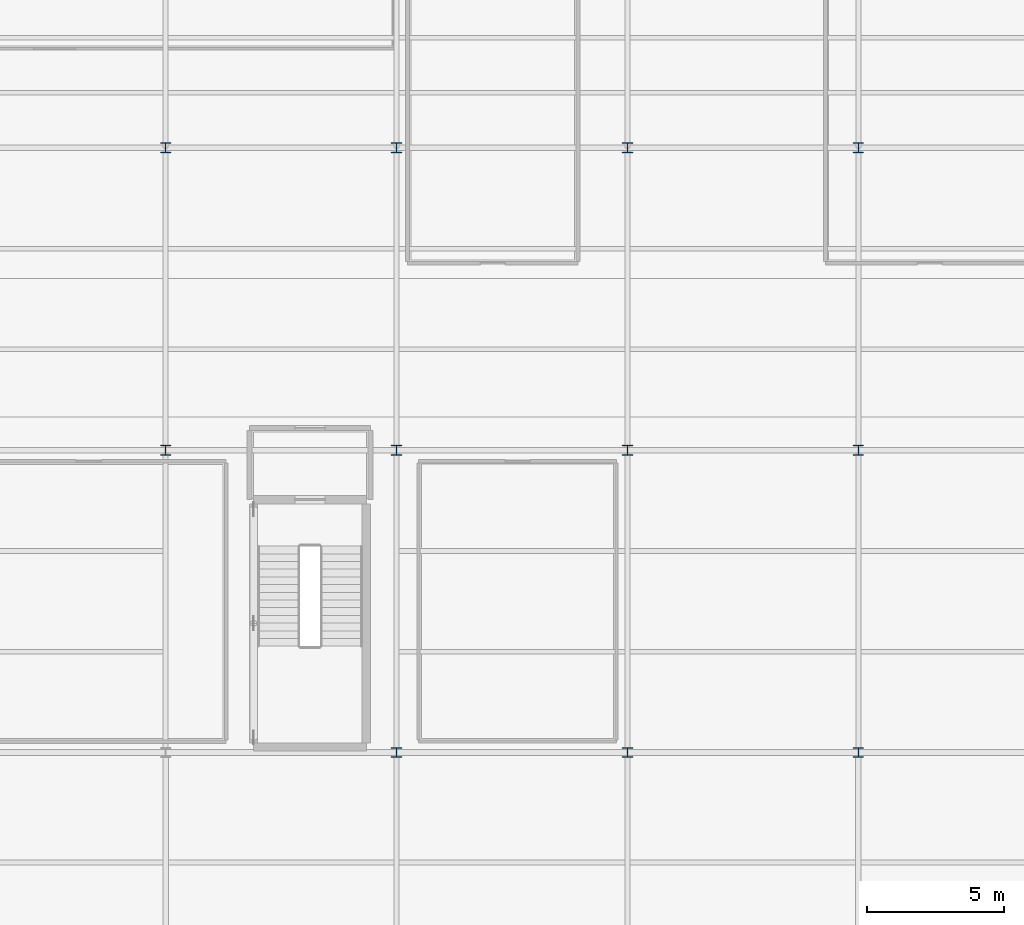
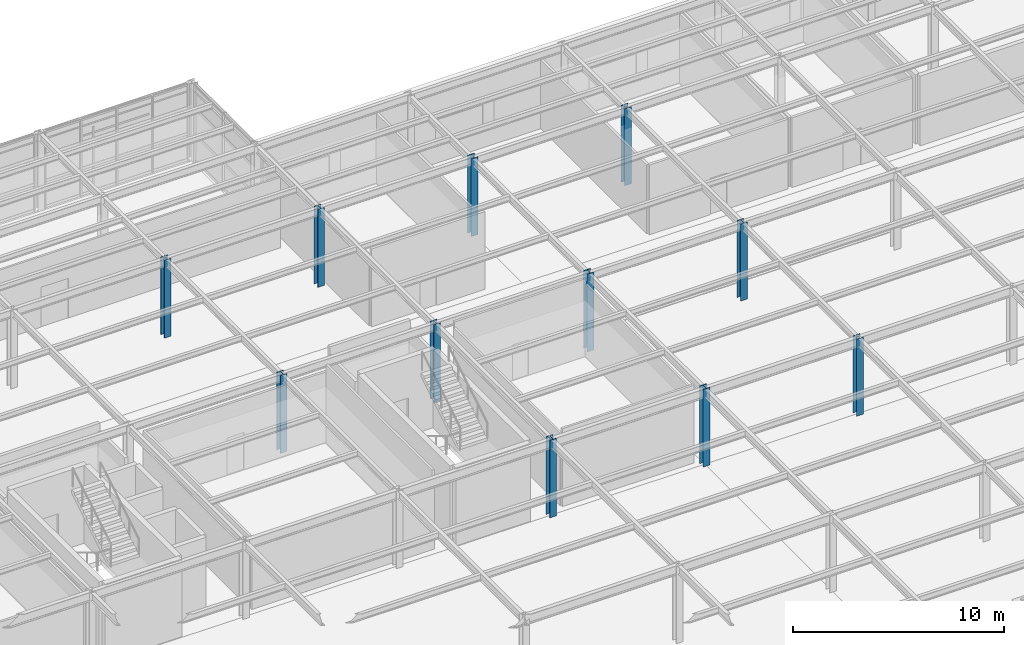
# One storey, part 10 of 82: 11 columns.
"""IFC4 building model written with IfcOpenShell, lengths in metres."""

from ifc_helpers import new_model, si_unit, direction, frame, origin, origin_2d, place, context, subcontext, project, spatial, i_section, extrude, material, material_profile, profile_set, type_object, element, save


model = new_model("IFC4")

# Units and contexts
model_context = context("Model", 3, precision=1e-05, world=origin(), true_north=direction((0.0, 1.0)))
body_context = subcontext(model_context, "Body", "Model", "MODEL_VIEW")
ifc_project = project(units=[si_unit("LENGTHUNIT", "METRE"), si_unit("AREAUNIT", "SQUARE_METRE"), si_unit("VOLUMEUNIT", "CUBIC_METRE"), si_unit("PLANEANGLEUNIT", "RADIAN"), si_unit("MASSUNIT", "GRAM", prefix="KILO")], contexts=[model_context])

# Site, building, storey
site_placement = place(None, origin())
site = spatial("IfcSite", under=ifc_project, at=site_placement, CompositionType="ELEMENT")
building_placement = place(site_placement, origin())
building = spatial("IfcBuilding", under=site, at=building_placement, Name="Sitalva Quay Ferry Terminal", CompositionType="ELEMENT")
storey_placement = place(building_placement, frame((0.0, 0.0, 5.39990234375)))
storey = spatial("IfcBuildingStorey", under=building, at=storey_placement, Name="L02", CompositionType="ELEMENT", Elevation=5.39990234375)

# Columns
ifc_material = material(Name="Structural Steel S355JR", Category="steel")
ifc_material_profile = material_profile(ifc_material, i_section(OverallWidth=0.368896484375, OverallDepth=0.35595703125, WebThickness=0.01123046875, FlangeThickness=0.01806640625, FilletRadius=0.014892578125, at=origin_2d()), Name="W360x134")
ifc_profile_set = profile_set([ifc_material_profile], Name="Structural Steel S355JR")
column_type = type_object("IfcColumnType", Name="Col_W360x134", PredefinedType="COLUMN", material=ifc_profile_set)
for number, where, z_axis, x_axis, name in (
    (1, (117.60009765625, 78.0, 0.0), (0.0, 0.0, 1.0), (1.0, 0.0, 0.0), "L02 column 15J"),
    (2, (126.0, 78.0, 0.0), (0.0, 0.0, 1.0), (1.0, 0.0, 0.0), "L02 column 16J"),
):
    element("IfcColumn", number, at=place(storey_placement, frame(where, z_axis=z_axis, x_axis=x_axis)), inside=storey, type_object=column_type, Name=name, PredefinedType="COLUMN", context=body_context, shape_type="SweptSolid", body=[
        extrude(i_section(OverallWidth=0.368896484375, OverallDepth=0.35595703125, WebThickness=0.01123046875, FlangeThickness=0.01806640625, FilletRadius=0.014892578125, at=origin_2d()), origin(), (0.0, 0.0, 1.0), 4.5),
    ])
column_1_placement = place(storey_placement, frame((134.39990234375, 78.0, 0.0), z_axis=(0.0, 0.0, 1.0), x_axis=(1.0, 0.0, 0.0)))
element("IfcColumn", 3, at=column_1_placement, inside=storey, type_object=column_type, Name="L02 column 17J", PredefinedType="COLUMN", context=body_context, shape_type="SweptSolid", body=[
    extrude(i_section(OverallWidth=0.368896484375, OverallDepth=0.35595703125, WebThickness=0.01123046875, FlangeThickness=0.01806640625, FilletRadius=0.014892578125, at=origin_2d()), origin(), (0.0, 0.0, 1.0), 4.4501953125),
])
for number, where, z_axis, x_axis, name in (
    (4, (109.199951171875, 89.0, 0.0), (0.0, 0.0, 1.0), (1.0, 0.0, 0.0), "L02 column 14K"),
    (5, (117.60009765625, 89.0, 0.0), (0.0, 0.0, 1.0), (1.0, 0.0, 0.0), "L02 column 15K"),
    (6, (126.0, 89.0, 0.0), (0.0, 0.0, 1.0), (1.0, 0.0, 0.0), "L02 column 16K"),
):
    element("IfcColumn", number, at=place(storey_placement, frame(where, z_axis=z_axis, x_axis=x_axis)), inside=storey, type_object=column_type, Name=name, PredefinedType="COLUMN", context=body_context, shape_type="SweptSolid", body=[
        extrude(i_section(OverallWidth=0.368896484375, OverallDepth=0.35595703125, WebThickness=0.01123046875, FlangeThickness=0.01806640625, FilletRadius=0.014892578125, at=origin_2d()), origin(), (0.0, 0.0, 1.0), 4.5),
    ])
column_2_placement = place(storey_placement, frame((134.39990234375, 89.0, 0.0), z_axis=(0.0, 0.0, 1.0), x_axis=(1.0, 0.0, 0.0)))
element("IfcColumn", 7, at=column_2_placement, inside=storey, type_object=column_type, Name="L02 column 17K", PredefinedType="COLUMN", context=body_context, shape_type="SweptSolid", body=[
    extrude(i_section(OverallWidth=0.368896484375, OverallDepth=0.35595703125, WebThickness=0.01123046875, FlangeThickness=0.01806640625, FilletRadius=0.014892578125, at=origin_2d()), origin(), (0.0, 0.0, 1.0), 4.4501953125),
])
for number, where, z_axis, x_axis, name in (
    (8, (109.199951171875, 100.0, 0.0), (0.0, 0.0, 1.0), (1.0, 0.0, 0.0), "L02 column 14L"),
    (9, (117.60009765625, 100.0, 0.0), (0.0, 0.0, 1.0), (1.0, 0.0, 0.0), "L02 column 15L"),
    (10, (126.0, 100.0, 0.0), (0.0, 0.0, 1.0), (1.0, 0.0, 0.0), "L02 column 16L"),
):
    element("IfcColumn", number, at=place(storey_placement, frame(where, z_axis=z_axis, x_axis=x_axis)), inside=storey, type_object=column_type, Name=name, PredefinedType="COLUMN", context=body_context, shape_type="SweptSolid", body=[
        extrude(i_section(OverallWidth=0.368896484375, OverallDepth=0.35595703125, WebThickness=0.01123046875, FlangeThickness=0.01806640625, FilletRadius=0.014892578125, at=origin_2d()), origin(), (0.0, 0.0, 1.0), 4.5),
    ])
column_3_placement = place(storey_placement, frame((134.39990234375, 100.0, 0.0), z_axis=(0.0, 0.0, 1.0), x_axis=(1.0, 0.0, 0.0)))
element("IfcColumn", 11, at=column_3_placement, inside=storey, type_object=column_type, Name="L02 column 17L", PredefinedType="COLUMN", context=body_context, shape_type="SweptSolid", body=[
    extrude(i_section(OverallWidth=0.368896484375, OverallDepth=0.35595703125, WebThickness=0.01123046875, FlangeThickness=0.01806640625, FilletRadius=0.014892578125, at=origin_2d()), origin(), (0.0, 0.0, 1.0), 4.4501953125),
])

save(model, "model.ifc")
